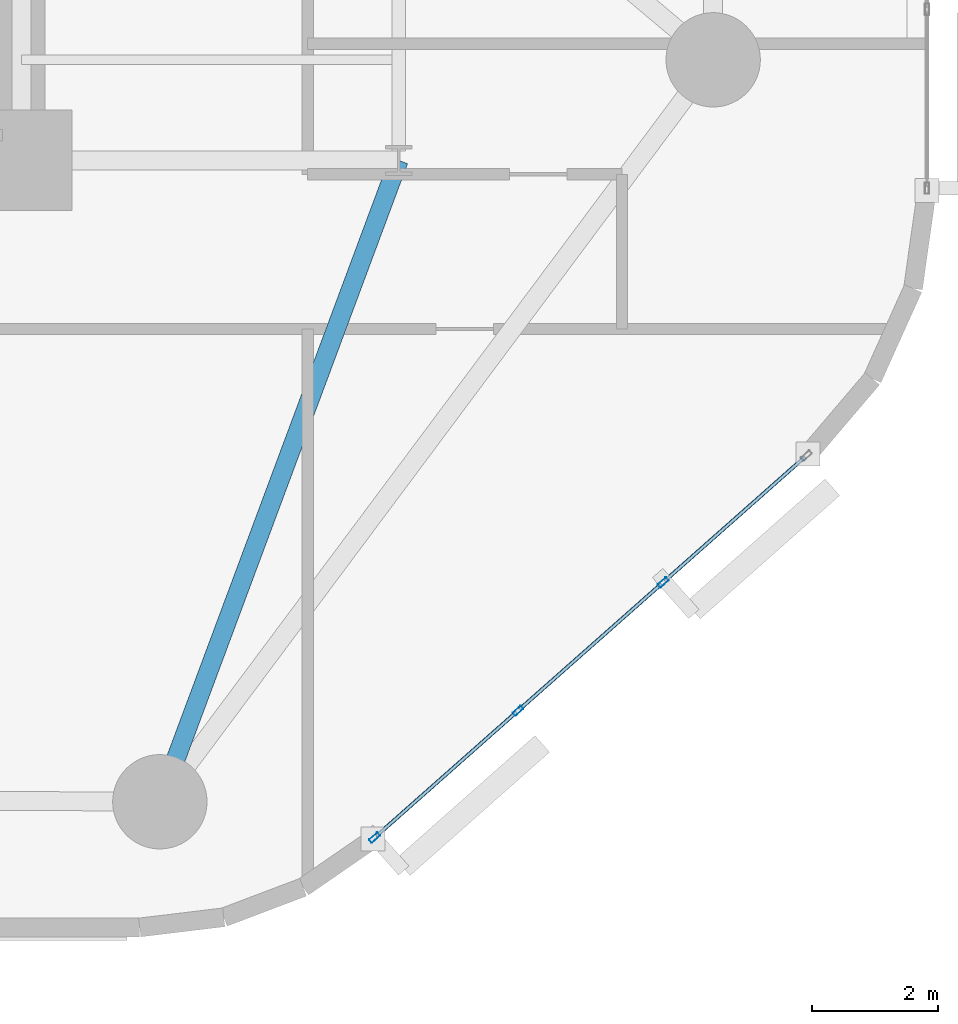
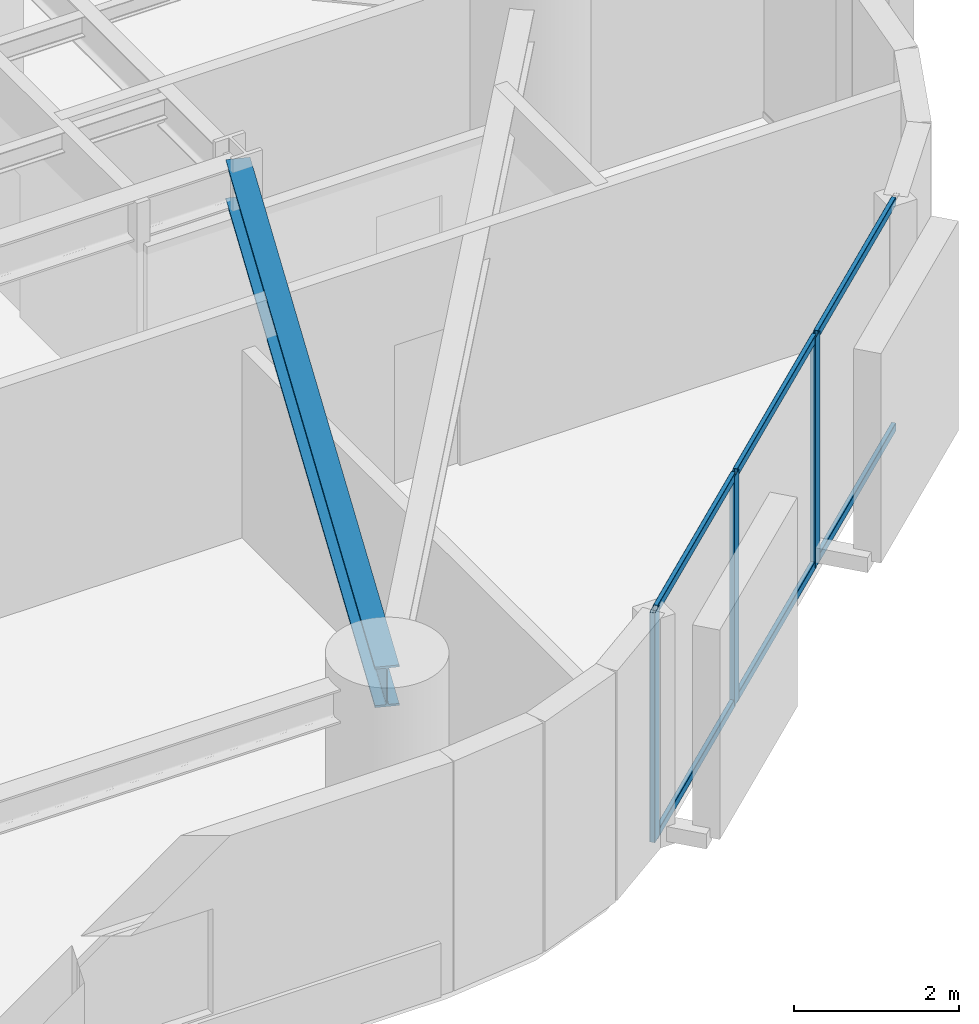
# One storey, part 2 of 16: 9 members, 1 beam, 1 element without a shape of its own.
"""IFC4 building model written with IfcOpenShell, lengths in metres."""

from ifc_helpers import new_model, si_unit, direction, frame, origin, origin_2d, place, context, subcontext, project, spatial, hollow_rectangle, i_section, extrude, material, layer, layer_set, material_profile, profile_set, type_object, element, aggregate, save


model = new_model("IFC4")

# Units and contexts
model_context = context("Model", 3, precision=1e-05, world=origin(), true_north=direction((0.0, 1.0)))
body_context = subcontext(model_context, "Body", "Model", "MODEL_VIEW")
ifc_project = project(units=[si_unit("LENGTHUNIT", "METRE"), si_unit("AREAUNIT", "SQUARE_METRE"), si_unit("VOLUMEUNIT", "CUBIC_METRE"), si_unit("PLANEANGLEUNIT", "RADIAN"), si_unit("MASSUNIT", "GRAM", prefix="KILO")], contexts=[model_context])

# Site, building, storey
site_placement = place(None, origin())
site = spatial("IfcSite", under=ifc_project, at=site_placement, CompositionType="ELEMENT")
building_placement = place(site_placement, origin())
building = spatial("IfcBuilding", under=site, at=building_placement, Name="An Khanh Terracotta Commons", CompositionType="ELEMENT")
storey_placement = place(building_placement, frame((0.0, 0.0, 43.199951171875)))
storey = spatial("IfcBuildingStorey", under=building, at=storey_placement, Name="L11", CompositionType="ELEMENT", Elevation=43.199951171875)

# Beam
ifc_material_1 = material(Name="Steel S355J2", Category="steel")
ifc_material_profile_1 = material_profile(ifc_material_1, i_section(OverallWidth=0.300048828125, OverallDepth=0.60009765625, WebThickness=0.015380859375, FlangeThickness=0.030029296875, FilletRadius=0.027099609375, at=origin_2d()), Name="HEB600")
ifc_profile_set_1 = profile_set([ifc_material_profile_1], Name="Steel S355J2")
beam_type = type_object("IfcBeamType", Name="BM-HEB600", PredefinedType="BEAM", material=ifc_profile_set_1)
beam_placement = place(storey_placement, frame((39.39990234375, 4.199951171875, 3.10009765625), z_axis=(0.349114429862, 0.937080100558, 0.0), x_axis=(-0.937080100558, 0.349114429862, 0.0)))
element("IfcBeam", 1, at=beam_placement, inside=storey, type_object=beam_type, Name="L11 Mega-Column Tie Girder 2", PredefinedType="BEAM", context=body_context, shape_type="SweptSolid", body=[
    extrude(i_section(OverallWidth=0.300048828125, OverallDepth=0.60009765625, WebThickness=0.015380859375, FlangeThickness=0.030029296875, FilletRadius=0.027099609375, at=origin_2d()), origin(), (0.0, 0.0, 1.0), 10.884765625),
])

# Curtain wall, members
ifc_material_2 = material(Name="Anodised Aluminium 6063-T6", Category="aluminium")
ifc_layer = layer(ifc_material_2, 0.199951171875, Name="Anodised Aluminium 6063-T6")
ifc_layer_set = layer_set([ifc_layer], Name="Anodised Aluminium 6063-T6")
curtain_wall_type = type_object("IfcCurtainWallType", Name="CW-SYS-02", PredefinedType="USERDEFINED", material=ifc_layer_set)
curtain_wall_placement = place(storey_placement, origin())
curtain_wall = element("IfcCurtainWall", 2, at=curtain_wall_placement, inside=storey, type_object=curtain_wall_type, Name="L11 CW-02 Unitised Curtain Wall CW-L11-08", ObjectType="UNITISED CURTAIN WALL", PredefinedType="USERDEFINED")
ifc_material_profile_2 = material_profile(ifc_material_2, hollow_rectangle(XDim=0.070068359375, YDim=0.179931640625, WallThickness=0.00390625, InnerFilletRadius=0.00390625, OuterFilletRadius=0.008056640625, at=origin_2d()), Name="RHS180x70x4")
ifc_profile_set_2 = profile_set([ifc_material_profile_2], Name="Anodised Aluminium 6063-T6")
member_type_1 = type_object("IfcMemberType", Name="CWM-RHS180x70x4", PredefinedType="MULLION", material=ifc_profile_set_2)
member_1_placement = place(storey_placement, frame((42.815185546875, 3.629150390625, 0.0), z_axis=(0.0, 0.0, 1.0), x_axis=(-0.662548195415, 0.749019284633, 0.0)))
member_1 = element("IfcMember", 3, at=member_1_placement, type_object=member_type_1, Name="CW-02 mullion 1", PredefinedType="MULLION", context=body_context, shape_type="SweptSolid", body=[
    extrude(hollow_rectangle(XDim=0.070068359375, YDim=0.179931640625, WallThickness=0.00390625, InnerFilletRadius=0.00390625, OuterFilletRadius=0.008056640625, at=origin_2d()), origin(), (0.0, 0.0, 1.0), 3.400146484375),
])
member_2_placement = place(storey_placement, frame((45.095947265625, 5.646728515625, 0.0), z_axis=(0.0, 0.0, 1.0), x_axis=(-0.662548195415, 0.749019284633, 0.0)))
member_2 = element("IfcMember", 4, at=member_2_placement, type_object=member_type_1, Name="CW-02 mullion 2", PredefinedType="MULLION", context=body_context, shape_type="SweptSolid", body=[
    extrude(hollow_rectangle(XDim=0.070068359375, YDim=0.179931640625, WallThickness=0.00390625, InnerFilletRadius=0.00390625, OuterFilletRadius=0.008056640625, at=origin_2d()), origin(), (0.0, 0.0, 1.0), 3.400146484375),
])
member_3_placement = place(storey_placement, frame((47.403076171875, 7.687255859375, 0.0), z_axis=(0.0, 0.0, 1.0), x_axis=(-0.662548195415, 0.749019284633, 0.0)))
member_3 = element("IfcMember", 5, at=member_3_placement, type_object=member_type_1, Name="CW-02 mullion 3", PredefinedType="MULLION", context=body_context, shape_type="SweptSolid", body=[
    extrude(hollow_rectangle(XDim=0.070068359375, YDim=0.179931640625, WallThickness=0.00390625, InnerFilletRadius=0.00390625, OuterFilletRadius=0.008056640625, at=origin_2d()), origin(), (0.0, 0.0, 1.0), 3.400146484375),
])
ifc_material_profile_3 = material_profile(ifc_material_2, hollow_rectangle(XDim=0.06005859375, YDim=0.1201171875, WallThickness=0.003662109375, InnerFilletRadius=0.003662109375, OuterFilletRadius=0.007080078125, at=origin_2d()), Name="RHS120x60x3.6")
ifc_profile_set_3 = profile_set([ifc_material_profile_3], Name="Anodised Aluminium 6063-T6")
member_type_2 = type_object("IfcMemberType", Name="CWT-RHS120x60x3.6", PredefinedType="USERDEFINED", material=ifc_profile_set_3)
member_4_placement = place(storey_placement, frame((42.841552734375, 3.65234375, 0.030029296875), z_axis=(0.74899186341, 0.662579194168, 0.0), x_axis=(-0.662579194168, 0.74899186341, 0.0)))
member_4 = element("IfcMember", 6, at=member_4_placement, type_object=member_type_2, Name="CW-02 transom 1.1", ObjectType="TRANSOM", PredefinedType="USERDEFINED", context=body_context, shape_type="SweptSolid", body=[
    extrude(hollow_rectangle(XDim=0.06005859375, YDim=0.1201171875, WallThickness=0.003662109375, InnerFilletRadius=0.003662109375, OuterFilletRadius=0.007080078125, at=origin_2d()), origin(), (0.0, 0.0, 1.0), 2.97509765625),
])
member_5_placement = place(storey_placement, frame((42.841552734375, 3.65234375, 3.3701171875), z_axis=(0.74899186341, 0.662579194168, 0.0), x_axis=(-0.662579194168, 0.74899186341, 0.0)))
member_5 = element("IfcMember", 7, at=member_5_placement, type_object=member_type_2, Name="CW-02 transom 1.2", ObjectType="TRANSOM", PredefinedType="USERDEFINED", context=body_context, shape_type="SweptSolid", body=[
    extrude(hollow_rectangle(XDim=0.06005859375, YDim=0.1201171875, WallThickness=0.003662109375, InnerFilletRadius=0.003662109375, OuterFilletRadius=0.007080078125, at=origin_2d()), origin(), (0.0, 0.0, 1.0), 2.97509765625),
])
member_6_placement = place(storey_placement, frame((45.122314453125, 5.669921875, 0.030029296875), z_axis=(0.749018237701, 0.662549378984, 0.0), x_axis=(-0.662549378984, 0.749018237701, 0.0)))
member_6 = element("IfcMember", 8, at=member_6_placement, type_object=member_type_2, Name="CW-02 transom 2.1", ObjectType="TRANSOM", PredefinedType="USERDEFINED", context=body_context, shape_type="SweptSolid", body=[
    extrude(hollow_rectangle(XDim=0.06005859375, YDim=0.1201171875, WallThickness=0.003662109375, InnerFilletRadius=0.003662109375, OuterFilletRadius=0.007080078125, at=origin_2d()), origin(), (0.0, 0.0, 1.0), 3.009765625),
])
member_7_placement = place(storey_placement, frame((45.122314453125, 5.669921875, 3.3701171875), z_axis=(0.749018237701, 0.662549378984, 0.0), x_axis=(-0.662549378984, 0.749018237701, 0.0)))
member_7 = element("IfcMember", 9, at=member_7_placement, type_object=member_type_2, Name="CW-02 transom 2.2", ObjectType="TRANSOM", PredefinedType="USERDEFINED", context=body_context, shape_type="SweptSolid", body=[
    extrude(hollow_rectangle(XDim=0.06005859375, YDim=0.1201171875, WallThickness=0.003662109375, InnerFilletRadius=0.003662109375, OuterFilletRadius=0.007080078125, at=origin_2d()), origin(), (0.0, 0.0, 1.0), 3.009765625),
])
member_8_placement = place(storey_placement, frame((47.42919921875, 7.71044921875, 0.030029296875), z_axis=(0.74899186341, 0.662579194168, 0.0), x_axis=(-0.662579194168, 0.74899186341, 0.0)))
member_8 = element("IfcMember", 10, at=member_8_placement, type_object=member_type_2, Name="CW-02 transom 3.1", ObjectType="TRANSOM", PredefinedType="USERDEFINED", context=body_context, shape_type="SweptSolid", body=[
    extrude(hollow_rectangle(XDim=0.06005859375, YDim=0.1201171875, WallThickness=0.003662109375, InnerFilletRadius=0.003662109375, OuterFilletRadius=0.007080078125, at=origin_2d()), origin(), (0.0, 0.0, 1.0), 2.97509765625),
])
member_9_placement = place(storey_placement, frame((47.42919921875, 7.71044921875, 3.3701171875), z_axis=(0.74899186341, 0.662579194168, 0.0), x_axis=(-0.662579194168, 0.74899186341, 0.0)))
member_9 = element("IfcMember", 11, at=member_9_placement, type_object=member_type_2, Name="CW-02 transom 3.2", ObjectType="TRANSOM", PredefinedType="USERDEFINED", context=body_context, shape_type="SweptSolid", body=[
    extrude(hollow_rectangle(XDim=0.06005859375, YDim=0.1201171875, WallThickness=0.003662109375, InnerFilletRadius=0.003662109375, OuterFilletRadius=0.007080078125, at=origin_2d()), origin(), (0.0, 0.0, 1.0), 2.97509765625),
])
aggregate(curtain_wall, [member_1, member_2, member_3, member_4, member_5, member_6, member_7, member_8, member_9])

save(model, "model.ifc")
